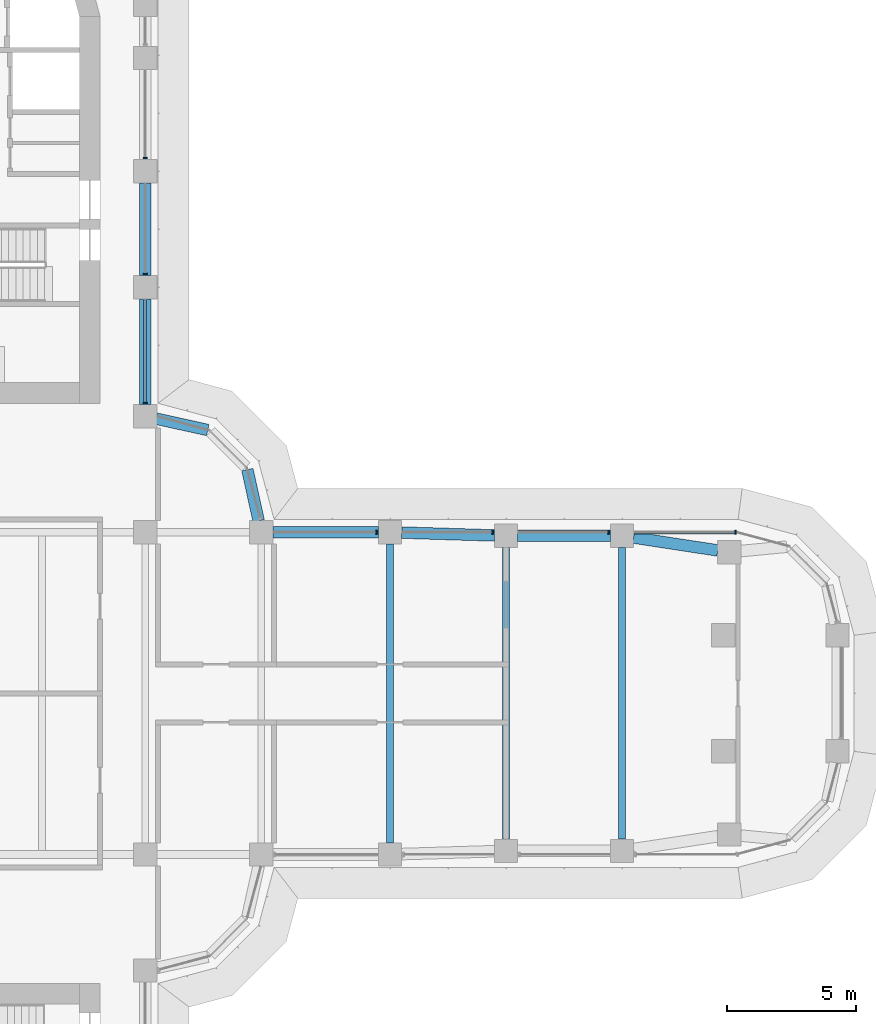
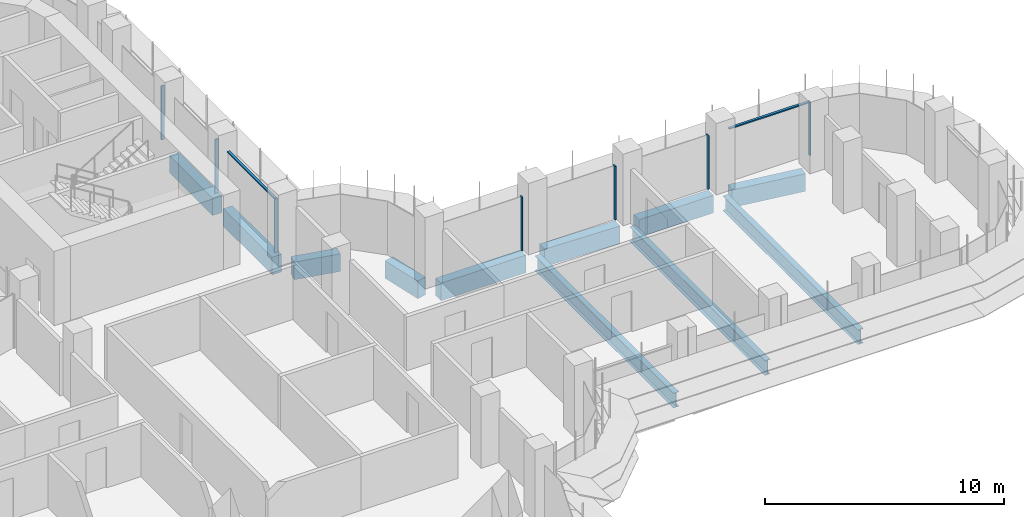
# One storey, part 8 of 22: 11 beams, 9 members, 2 elements without a shape of their own.
"""IFC4 building model written with IfcOpenShell, lengths in metres."""

from ifc_helpers import new_model, si_unit, direction, frame, origin, origin_2d, place, context, subcontext, project, spatial, polyline, rectangle, i_section, outline, extrude, source, transform, mapped, material, material_profile, profile_set, type_object, element, aggregate, save


model = new_model("IFC4")

# Units and contexts
model_context = context("Model", 3, precision=1e-05, world=origin(), true_north=direction((0.0, 1.0)))
body_context = subcontext(model_context, "Body", "Model", "MODEL_VIEW")
ifc_project = project(units=[si_unit("LENGTHUNIT", "METRE"), si_unit("AREAUNIT", "SQUARE_METRE"), si_unit("VOLUMEUNIT", "CUBIC_METRE"), si_unit("PLANEANGLEUNIT", "RADIAN"), si_unit("MASSUNIT", "GRAM", prefix="KILO")], contexts=[model_context])

# Site, building, storey
site_placement = place(None, origin())
site = spatial("IfcSite", under=ifc_project, at=site_placement, CompositionType="ELEMENT")
building_placement = place(site_placement, origin())
building = spatial("IfcBuilding", under=site, at=building_placement, Name="Zarbagh Exchange Tower", CompositionType="ELEMENT")
storey_placement = place(building_placement, frame((0.0, 0.0, 101.800048828125)))
storey = spatial("IfcBuildingStorey", under=building, at=storey_placement, Name="L23", CompositionType="ELEMENT", Elevation=101.800048828125)

# Beams
ifc_material_1 = material(Name="Steel ASTM A992 Gr 50", Category="steel")
ifc_material_profile_1 = material_profile(ifc_material_1, i_section(OverallWidth=0.2666015625, OverallDepth=0.7568359375, WebThickness=0.013916015625, FlangeThickness=0.019287109375, at=origin_2d()), Name="W30X108")
ifc_profile_set_1 = profile_set([ifc_material_profile_1], Name="Steel ASTM A992 Gr 50")
beam_type_1 = type_object("IfcBeamType", Name="Floor beam W30X108", PredefinedType="BEAM", material=ifc_profile_set_1)
beam_1_placement = place(storey_placement, frame((15.75, -5.800048828125, -0.528564453125), z_axis=(0.0, 1.0, 0.0), x_axis=(-1.0, 0.0, 0.0)))
element("IfcBeam", 1, at=beam_1_placement, inside=storey, type_object=beam_type_1, Name="Steel floor beam", PredefinedType="BEAM", context=body_context, shape_type="SweptSolid", body=[
    extrude(i_section(OverallWidth=0.2666015625, OverallDepth=0.7568359375, WebThickness=0.013916015625, FlangeThickness=0.019287109375, at=origin_2d()), origin(), (0.0, 0.0, 1.0), 11.60009765625),
])
for number, where, z_axis, x_axis, name in (
    (2, (20.25, -5.659912109375, -0.528564453125), (0.0, 1.0, 0.0), (-1.0, 0.0, 0.0), "Steel floor beam"),
    (3, (24.75, -5.659912109375, -0.528564453125), (0.0, 1.0, 0.0), (-1.0, 0.0, 0.0), "Steel floor beam"),
):
    element("IfcBeam", number, at=place(storey_placement, frame(where, z_axis=z_axis, x_axis=x_axis)), inside=storey, type_object=beam_type_1, Name=name, PredefinedType="BEAM", context=body_context, shape_type="SweptSolid", body=[
        extrude(i_section(OverallWidth=0.2666015625, OverallDepth=0.7568359375, WebThickness=0.013916015625, FlangeThickness=0.019287109375, at=origin_2d()), origin(), (0.0, 0.0, 1.0), 11.31982421875),
    ])
ifc_material_2 = material(Name="Concrete C60/75", Category="concrete")
ifc_material_profile_2 = material_profile(ifc_material_2, rectangle(XDim=0.449951171875, YDim=0.89990234375, at=origin_2d()), Name="RC spandrel beam 450 x 900 C60/75")
ifc_profile_set_2 = profile_set([ifc_material_profile_2], Name="Concrete C60/75")
beam_type_2 = type_object("IfcBeamType", Name="RC spandrel beam 450 x 900 C60/75", PredefinedType="SPANDREL", material=ifc_profile_set_2)
beam_2_placement = place(storey_placement, frame((6.25, 19.800048828125, -0.60009765625), z_axis=(0.0, -1.0, 0.0), x_axis=(1.0, 0.0, 0.0)))
element("IfcBeam", 4, at=beam_2_placement, inside=storey, type_object=beam_type_2, Name="RC spandrel beam", PredefinedType="SPANDREL", context=body_context, shape_type="SweptSolid", body=[
    extrude(rectangle(XDim=0.449951171875, YDim=0.89990234375, at=origin_2d()), origin(), (0.0, 0.0, 1.0), 3.60009765625),
])
beam_3_placement = place(storey_placement, frame((6.25, 15.300048828125, -0.60009765625), z_axis=(0.0, -1.0, 0.0), x_axis=(1.0, 0.0, 0.0)))
element("IfcBeam", 5, at=beam_3_placement, inside=storey, type_object=beam_type_2, Name="RC spandrel beam", PredefinedType="SPANDREL", context=body_context, shape_type="SweptSolid", body=[
    extrude(rectangle(XDim=0.449951171875, YDim=0.89990234375, at=origin_2d()), origin(), (0.0, 0.0, 1.0), 4.10009765625),
])
for number, where, z_axis, x_axis, name in (
    (6, (6.689453125, 10.65283203125, -0.60009765625), (0.976367325525, -0.216117666208, 0.0), (0.216117666208, 0.976367325525, 0.0), "RC spandrel beam"),
    (7, (10.212890625, 8.677001953125, -0.60009765625), (0.216117666208, -0.976367325525, 0.0), (0.976367325525, 0.216117666208, 0.0), "RC spandrel beam"),
):
    element("IfcBeam", number, at=place(storey_placement, frame(where, z_axis=z_axis, x_axis=x_axis)), inside=storey, type_object=beam_type_2, Name=name, PredefinedType="SPANDREL", context=body_context, shape_type="SweptSolid", body=[
        extrude(rectangle(XDim=0.449951171875, YDim=0.89990234375, at=origin_2d()), origin(), (0.0, 0.0, 1.0), 2.03564453125),
    ])
beam_4_placement = place(storey_placement, frame((11.199951171875, 6.25, -0.60009765625), z_axis=(1.0, 0.0, 0.0), x_axis=(0.0, 1.0, 0.0)))
element("IfcBeam", 8, at=beam_4_placement, inside=storey, type_object=beam_type_2, Name="RC spandrel beam", PredefinedType="SPANDREL", context=body_context, shape_type="SweptSolid", body=[
    extrude(rectangle(XDim=0.449951171875, YDim=0.89990234375, at=origin_2d()), origin(), (0.0, 0.0, 1.0), 4.10009765625),
])
beam_5_placement = place(storey_placement, frame((16.19970703125, 6.236083984375, -0.60009765625), z_axis=(0.999516035224, -0.031107801747, 0.0), x_axis=(0.031107801747, 0.999516035224, 0.0)))
element("IfcBeam", 9, at=beam_5_placement, inside=storey, type_object=beam_type_2, Name="RC spandrel beam", PredefinedType="SPANDREL", context=body_context, shape_type="SweptSolid", body=[
    extrude(rectangle(XDim=0.449951171875, YDim=0.89990234375, at=origin_2d()), origin(), (0.0, 0.0, 1.0), 3.602294921875),
])
beam_6_placement = place(storey_placement, frame((20.699951171875, 6.110107421875, -0.60009765625), z_axis=(1.0, 0.0, 0.0), x_axis=(0.0, 1.0, 0.0)))
element("IfcBeam", 10, at=beam_6_placement, inside=storey, type_object=beam_type_2, Name="RC spandrel beam", PredefinedType="SPANDREL", context=body_context, shape_type="SweptSolid", body=[
    extrude(rectangle(XDim=0.449951171875, YDim=0.89990234375, at=origin_2d()), origin(), (0.0, 0.0, 1.0), 3.60009765625),
])
beam_7_placement = place(storey_placement, frame((25.19482421875, 6.0419921875, -0.60009765625), z_axis=(0.988543505948, -0.150936201252, 0.0), x_axis=(0.150936201252, 0.988543505948, 0.0)))
element("IfcBeam", 11, at=beam_7_placement, inside=storey, type_object=beam_type_2, Name="RC spandrel beam", PredefinedType="SPANDREL", context=body_context, shape_type="SweptSolid", body=[
    extrude(rectangle(XDim=0.449951171875, YDim=0.89990234375, at=origin_2d()), origin(), (0.0, 0.0, 1.0), 3.30615234375),
])

# Curtain wall, members
ifc_material_3 = material(Name="Anodised aluminium frame and glazing", Category="aluminium")
curtain_wall_type = type_object("IfcCurtainWallType", Name="CWA Ribbon glazing, lower zones", PredefinedType="NOTDEFINED", material=ifc_material_3)
curtain_wall_1_placement = place(storey_placement, origin())
curtain_wall_1 = element("IfcCurtainWall", 12, at=curtain_wall_1_placement, inside=storey, type_object=curtain_wall_type, Name="CWA16 curtain wall", PredefinedType="NOTDEFINED")
ifc_material_4 = material(Name="Anodised aluminium frame", Category="aluminium")
member_type_1 = type_object("IfcMemberType", Name="MUA Mullion, anodised aluminium frame", PredefinedType="MULLION", material=ifc_material_4)
shared_shape_1 = source(origin(), body_context, "Body", "SweptSolid", [
    extrude(outline(polyline([(0.0, -0.080078125), (0.06005859375, -0.080078125), (0.06005859375, 0.080078125), (0.0, 0.080078125), (0.0, -0.080078125)])), origin(), (0.0, 0.0, 1.0), 2.75),
])
placement = place(storey_placement, origin())
member_1 = element("IfcMember", 13, at=placement, type_object=member_type_1, Name="CWA16 mullion 1.1", PredefinedType="MULLION", context=body_context, shape_type="MappedRepresentation", body=[
    mapped(shared_shape_1, transform((29.18408203125, 6.25, 0.0), x_axis=(-1.0, 0.0, 0.0), y_axis=(0.0, -1.0, 0.0), z_axis=(0.0, 0.0, 1.0))),
])
member_2 = element("IfcMember", 14, at=placement, type_object=member_type_1, Name="CWA16 mullion 2.1", PredefinedType="MULLION", context=body_context, shape_type="MappedRepresentation", body=[
    mapped(shared_shape_1, transform((24.260009765625, 6.25, 0.0), x_axis=(-1.0, 0.0, 0.0), y_axis=(0.0, -1.0, 0.0), z_axis=(0.0, 0.0, 1.0))),
])
member_3 = element("IfcMember", 15, at=placement, type_object=member_type_1, Name="CWA16 mullion 3.1", PredefinedType="MULLION", context=body_context, shape_type="MappedRepresentation", body=[
    mapped(shared_shape_1, transform((19.760009765625, 6.25, 0.0), x_axis=(-1.0, 0.0, 0.0), y_axis=(0.0, -1.0, 0.0), z_axis=(0.0, 0.0, 1.0))),
])
member_4 = element("IfcMember", 16, at=placement, type_object=member_type_1, Name="CWA16 mullion 4.1", PredefinedType="MULLION", context=body_context, shape_type="MappedRepresentation", body=[
    mapped(shared_shape_1, transform((15.260009765625, 6.25, 0.0), x_axis=(-1.0, 0.0, 0.0), y_axis=(0.0, -1.0, 0.0), z_axis=(0.0, 0.0, 1.0))),
])

curtain_wall_2_placement = place(storey_placement, origin())
curtain_wall_2 = element("IfcCurtainWall", 17, at=curtain_wall_2_placement, inside=storey, type_object=curtain_wall_type, Name="CWA49 curtain wall", PredefinedType="NOTDEFINED")
member_5 = element("IfcMember", 18, at=placement, type_object=member_type_1, Name="CWA49 mullion 1.1", PredefinedType="MULLION", context=body_context, shape_type="MappedRepresentation", body=[
    mapped(shared_shape_1, transform((6.25, 11.239990234375, 0.0), x_axis=(0.0, 1.0, 0.0), y_axis=(-1.0, 0.0, 0.0), z_axis=(0.0, 0.0, 1.0))),
])
member_6 = element("IfcMember", 19, at=placement, type_object=member_type_1, Name="CWA49 mullion 2.1", PredefinedType="MULLION", context=body_context, shape_type="MappedRepresentation", body=[
    mapped(shared_shape_1, transform((6.25, 16.239990234375, 0.0), x_axis=(0.0, 1.0, 0.0), y_axis=(-1.0, 0.0, 0.0), z_axis=(0.0, 0.0, 1.0))),
])
member_7 = element("IfcMember", 20, at=placement, type_object=member_type_1, Name="CWA49 mullion 3.1", PredefinedType="MULLION", context=body_context, shape_type="MappedRepresentation", body=[
    mapped(shared_shape_1, transform((6.25, 20.739990234375, 0.0), x_axis=(0.0, 1.0, 0.0), y_axis=(-1.0, 0.0, 0.0), z_axis=(0.0, 0.0, 1.0))),
])
member_type_2 = type_object("IfcMemberType", Name="TRA Transom, anodised aluminium frame", PredefinedType="USERDEFINED", material=ifc_material_4)
shared_shape_2 = source(origin(), body_context, "Body", "SweptSolid", [
    extrude(outline(polyline([(-0.06005859375, -0.06005859375), (0.0, -0.06005859375), (0.0, 0.06005859375), (-0.06005859375, 0.06005859375), (-0.06005859375, -0.06005859375)])), origin(), (0.0, 0.0, 1.0), 3.9599609375),
])
member_8 = element("IfcMember", 21, at=placement, type_object=member_type_2, Name="CWA49 transom 1.1", ObjectType="TRANSOM", PredefinedType="USERDEFINED", context=body_context, shape_type="MappedRepresentation", body=[
    mapped(shared_shape_2, transform((6.25, 11.300048828125, 2.75), x_axis=(0.0, 0.0, 1.0), y_axis=(1.0, 0.0, 0.0), z_axis=(0.0, 1.0, 0.0))),
])
aggregate(curtain_wall_2, [member_5, member_8, member_6, member_7])

# Member
shared_shape_3 = source(origin(), body_context, "Body", "SweptSolid", [
    extrude(outline(polyline([(-0.06005859375, -0.06005859375), (0.0, -0.06005859375), (0.0, 0.06005859375), (-0.06005859375, 0.06005859375), (-0.06005859375, -0.06005859375)])), origin(), (0.0, 0.0, 1.0), 3.88427734375),
])
member_9 = element("IfcMember", 22, at=placement, type_object=member_type_2, Name="CWA16 transom 1.1", ObjectType="TRANSOM", PredefinedType="USERDEFINED", context=body_context, shape_type="MappedRepresentation", body=[
    mapped(shared_shape_3, transform((29.124267578125, 6.25, 2.75), x_axis=(0.0, 0.0, 1.0), y_axis=(0.0, 1.0, 0.0), z_axis=(-1.0, 0.0, 0.0))),
])

aggregate(curtain_wall_1, [member_1, member_9, member_2, member_3, member_4])

save(model, "model.ifc")
